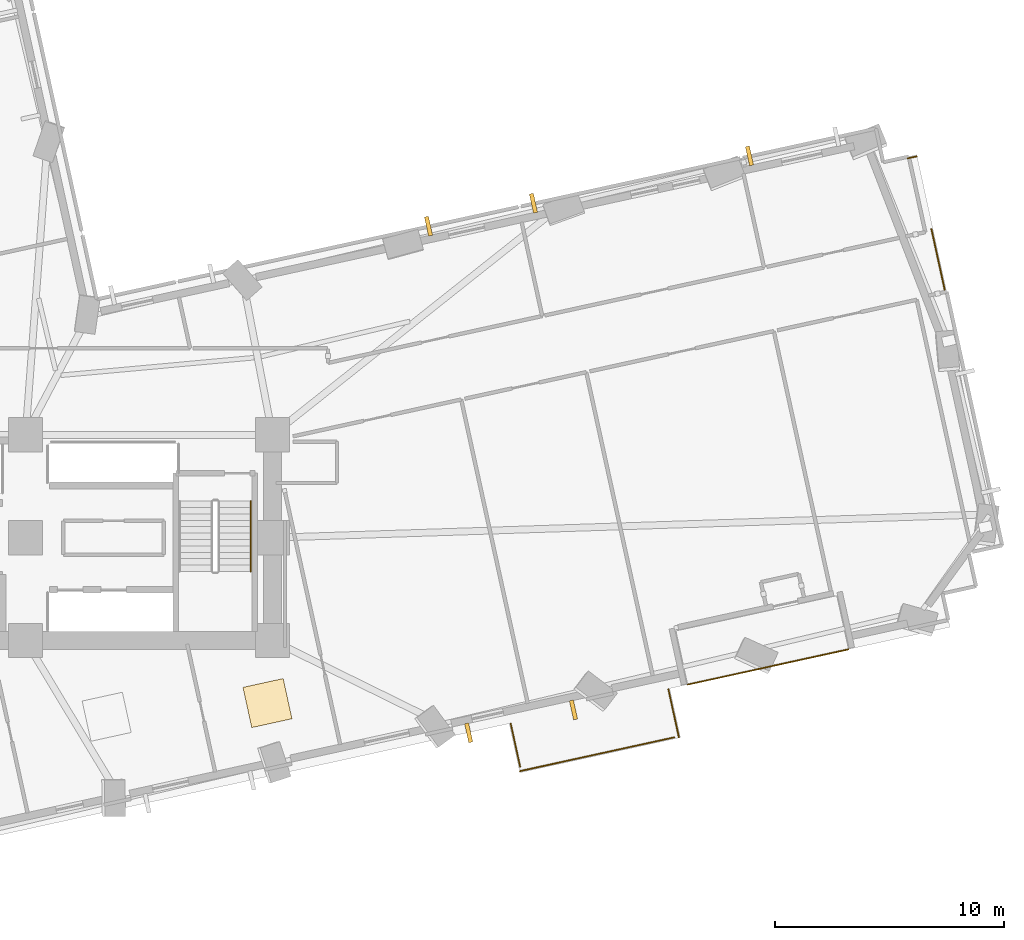
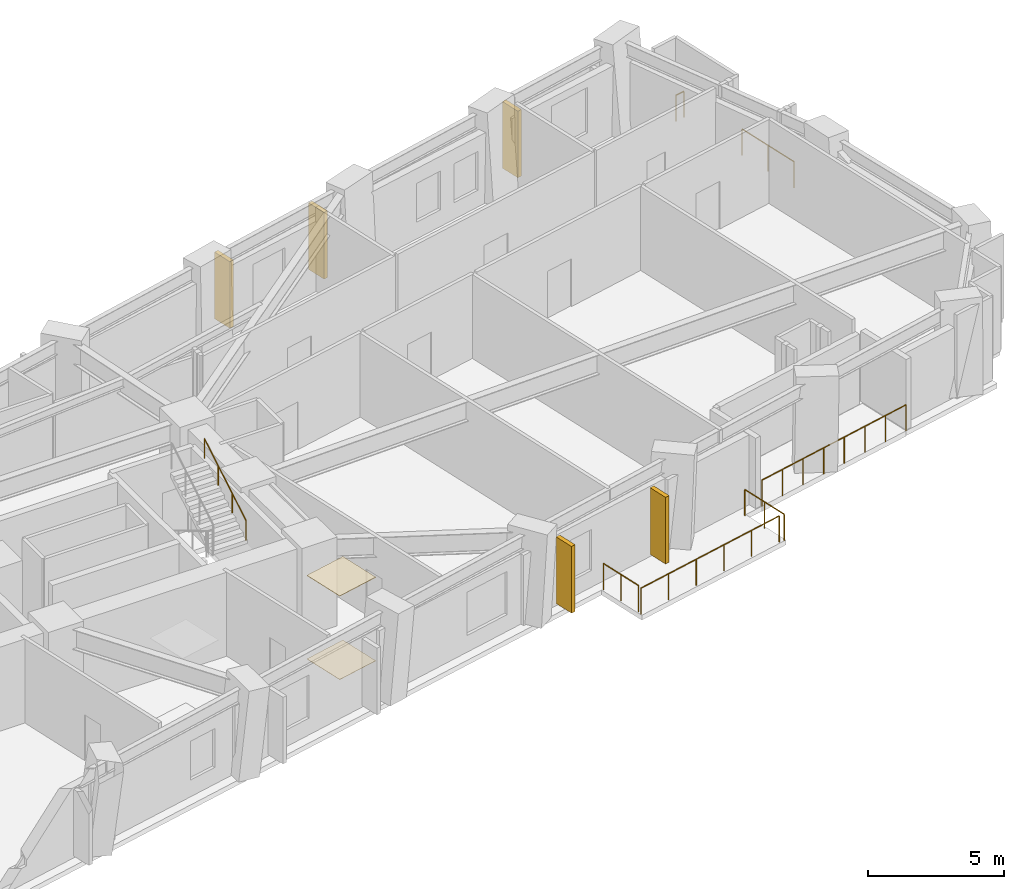
# One storey, part 13 of 14: 7 railings, 5 shading devices, 2 coverings.
"""IFC4 building model written with IfcOpenShell, lengths in metres."""

from ifc_helpers import new_model, si_unit, direction, frame, origin, origin_2d, place, context, subcontext, project, spatial, rectangle, circle, extrude, material, layer, layer_set, type_object, element, save


model = new_model("IFC4")

# Units and contexts
model_context = context("Model", 3, precision=1e-05, world=origin(), true_north=direction((0.0, 1.0)))
body_context = subcontext(model_context, "Body", "Model", "MODEL_VIEW")
ifc_project = project(units=[si_unit("LENGTHUNIT", "METRE"), si_unit("AREAUNIT", "SQUARE_METRE"), si_unit("VOLUMEUNIT", "CUBIC_METRE"), si_unit("PLANEANGLEUNIT", "RADIAN"), si_unit("MASSUNIT", "GRAM", prefix="KILO")], contexts=[model_context])

# Site, building, storey
site_placement = place(None, origin())
site = spatial("IfcSite", under=ifc_project, at=site_placement, CompositionType="ELEMENT")
building_placement = place(site_placement, origin())
building = spatial("IfcBuilding", under=site, at=building_placement, Name="Gaonmaruhae Medical Tower", CompositionType="ELEMENT")
storey_placement = place(building_placement, frame((0.0, 0.0, 75.0)))
storey = spatial("IfcBuildingStorey", under=building, at=storey_placement, Name="L17", CompositionType="ELEMENT", Elevation=75.0)

# Coverings
ifc_material_1 = material(Name="Acoustic mineral ceiling tile", Category="finish")
ifc_layer_1 = layer(ifc_material_1, 0.02490234375)
ifc_layer_set_1 = layer_set([ifc_layer_1], Name="Acoustic mineral ceiling tile")
covering_type_1 = type_object("IfcCoveringType", Name="CLG-01 Antimicrobial Acoustic Mineral Ceiling", PredefinedType="CEILING", material=ifc_layer_set_1)
covering_1_placement = place(storey_placement, frame((35.382080078125, 5.0654296875, 3.755126953125), z_axis=(0.0, 0.0, 1.0), x_axis=(0.976859298345, 0.213882938162, 0.0)))
element("IfcCovering", 1, at=covering_1_placement, inside=storey, type_object=covering_type_1, Name="L17 Clinical Room Acoustic Ceiling 4", PredefinedType="CEILING", context=body_context, shape_type="SweptSolid", body=[
    extrude(rectangle(XDim=1.800048828125, YDim=1.800048828125, at=origin_2d()), origin(), (0.0, 0.0, 1.0), 0.02490234375),
])
ifc_material_2 = material(Name="Seamless clinical vinyl flooring", Category="finish")
ifc_layer_2 = layer(ifc_material_2, 0.014892578125)
ifc_layer_set_2 = layer_set([ifc_layer_2], Name="Seamless clinical vinyl flooring")
covering_type_2 = type_object("IfcCoveringType", Name="FLR-01 Seamless Clinical Antistatic Vinyl Flooring", PredefinedType="FLOORING", material=ifc_layer_set_2)
covering_2_placement = place(storey_placement, frame((35.382080078125, 5.0654296875, 0.0), z_axis=(0.0, 0.0, 1.0), x_axis=(0.976859298345, 0.213882938162, 0.0)))
element("IfcCovering", 2, at=covering_2_placement, inside=storey, type_object=covering_type_2, Name="L17 Clinical Room Vinyl Flooring 4", PredefinedType="FLOORING", context=body_context, shape_type="SweptSolid", body=[
    extrude(rectangle(XDim=1.800048828125, YDim=1.800048828125, at=origin_2d()), origin(), (0.0, 0.0, 1.0), 0.014892578125),
])

# Railings
ifc_material_3 = material(Name="Stainless steel 316L and laminated safety glass", Category="steel")
ifc_layer_3 = layer(ifc_material_3, 0.080078125)
ifc_layer_set_3 = layer_set([ifc_layer_3], Name="Stainless steel 316L and laminated safety glass")
railing_type_1 = type_object("IfcRailingType", Name="GD-120 Outdoor Terrace Safety Glass & Steel Balustrade", PredefinedType="BALUSTRADE", material=ifc_layer_set_3)
railing_1_placement = place(storey_placement, frame((53.767333984375, 5.87548828125, 0.0)))
element("IfcRailing", 3, at=railing_1_placement, inside=storey, type_object=railing_type_1, Name="L17 Terrace Safety Guard RL-SLB-L17-TER-01", PredefinedType="BALUSTRADE", context=body_context, shape_type="SweptSolid", body=[
    extrude(circle(Radius=0.02392578125, at=origin_2d()), frame((0.0, 0.0, 1.17578125), z_axis=(0.976857304714, 0.213892043394, 0.0), x_axis=(-0.213892043394, 0.976857304714, 0.0)), (0.0, 0.0, 1.0), 7.2001953125),
    extrude(circle(Radius=0.02099609375, at=origin_2d()), origin(), (0.0, 0.0, 1.0), 1.15185546875),
    extrude(circle(Radius=0.02099609375, at=origin_2d()), frame((1.0048828125, 0.219970703125, 0.0)), (0.0, 0.0, 1.0), 1.15185546875),
    extrude(circle(Radius=0.02099609375, at=origin_2d()), frame((2.009521484375, 0.43994140625, 0.0)), (0.0, 0.0, 1.0), 1.15185546875),
    extrude(circle(Radius=0.02099609375, at=origin_2d()), frame((3.014404296875, 0.659912109375, 0.0)), (0.0, 0.0, 1.0), 1.15185546875),
    extrude(circle(Radius=0.02099609375, at=origin_2d()), frame((4.01904296875, 0.880126953125, 0.0)), (0.0, 0.0, 1.0), 1.15185546875),
    extrude(circle(Radius=0.02099609375, at=origin_2d()), frame((5.02392578125, 1.10009765625, 0.0)), (0.0, 0.0, 1.0), 1.15185546875),
    extrude(circle(Radius=0.02099609375, at=origin_2d()), frame((6.028564453125, 1.320068359375, 0.0)), (0.0, 0.0, 1.0), 1.15185546875),
    extrude(circle(Radius=0.02099609375, at=origin_2d()), frame((7.033447265625, 1.5400390625, 0.0)), (0.0, 0.0, 1.0), 1.15185546875),
])
railing_2_placement = place(storey_placement, frame((63.399658203125, 28.8984375, 0.0)))
element("IfcRailing", 4, at=railing_2_placement, inside=storey, type_object=railing_type_1, Name="L17 Perimeter Slab Edge Safety Balustrade 02", PredefinedType="BALUSTRADE", context=body_context, shape_type="SweptSolid", body=[
    extrude(circle(Radius=0.02392578125, at=origin_2d()), frame((0.0, 0.0, 1.17578125), z_axis=(0.976810863505, 0.214104032979, 0.0), x_axis=(-0.214104032979, 0.976810863505, 0.0)), (0.0, 0.0, 1.0), 0.393310546875),
    extrude(circle(Radius=0.02099609375, at=origin_2d()), origin(), (0.0, 0.0, 1.0), 1.15185546875),
    extrude(circle(Radius=0.02099609375, at=origin_2d()), frame((0.38427734375, 0.084228515625, 0.0)), (0.0, 0.0, 1.0), 1.15185546875),
])
railing_3_placement = place(storey_placement, frame((64.4287109375, 25.80419921875, 0.0)))
element("IfcRailing", 5, at=railing_3_placement, inside=storey, type_object=railing_type_1, Name="L17 Perimeter Slab Edge Safety Balustrade 03", PredefinedType="BALUSTRADE", context=body_context, shape_type="SweptSolid", body=[
    extrude(circle(Radius=0.02392578125, at=origin_2d()), frame((0.0, 0.0, 1.17578125), z_axis=(0.213896940489, -0.976856232436, 0.0), x_axis=(0.976856232436, 0.213896940489, 0.0)), (0.0, 0.0, 1.0), 2.838623046875),
    extrude(circle(Radius=0.02099609375, at=origin_2d()), origin(), (0.0, 0.0, 1.0), 1.15185546875),
    extrude(circle(Radius=0.02099609375, at=origin_2d()), frame((0.3037109375, -1.386474609375, 0.0)), (0.0, 0.0, 1.0), 1.15185546875),
    extrude(circle(Radius=0.02099609375, at=origin_2d()), frame((0.607177734375, -2.77294921875, 0.0)), (0.0, 0.0, 1.0), 1.15185546875),
])
railing_4_placement = place(storey_placement, frame((52.921630859375, 5.669921875, 0.0)))
element("IfcRailing", 6, at=railing_4_placement, inside=storey, type_object=railing_type_1, Name="L17 Perimeter Slab Edge Safety Balustrade 04", PredefinedType="BALUSTRADE", context=body_context, shape_type="SweptSolid", body=[
    extrude(circle(Radius=0.02392578125, at=origin_2d()), frame((0.0, 0.0, 1.17578125), z_axis=(0.213949669005, -0.976844685266, 0.0), x_axis=(0.976844685266, 0.213949669005, 0.0)), (0.0, 0.0, 1.0), 2.16015625),
    extrude(circle(Radius=0.02099609375, at=origin_2d()), origin(), (0.0, 0.0, 1.0), 1.15185546875),
    extrude(circle(Radius=0.02099609375, at=origin_2d()), frame((0.23095703125, -1.05517578125, 0.0)), (0.0, 0.0, 1.0), 1.15185546875),
    extrude(circle(Radius=0.02099609375, at=origin_2d()), frame((0.462158203125, -2.110107421875, 0.0)), (0.0, 0.0, 1.0), 1.15185546875),
])
railing_5_placement = place(storey_placement, frame((53.176513671875, 3.565673828125, 0.0)))
element("IfcRailing", 7, at=railing_5_placement, inside=storey, type_object=railing_type_1, Name="L17 Perimeter Slab Edge Safety Balustrade 05", PredefinedType="BALUSTRADE", context=body_context, shape_type="SweptSolid", body=[
    extrude(circle(Radius=0.02392578125, at=origin_2d()), frame((0.0, 0.0, 1.17578125), z_axis=(-0.976864040543, -0.213861278157, 0.0), x_axis=(0.213861278157, -0.976864040543, 0.0)), (0.0, 0.0, 1.0), 6.908935546875),
    extrude(circle(Radius=0.02099609375, at=origin_2d()), origin(), (0.0, 0.0, 1.0), 1.15185546875),
    extrude(circle(Radius=0.02099609375, at=origin_2d()), frame((-1.349853515625, -0.29541015625, 0.0)), (0.0, 0.0, 1.0), 1.15185546875),
    extrude(circle(Radius=0.02099609375, at=origin_2d()), frame((-2.69970703125, -0.591064453125, 0.0)), (0.0, 0.0, 1.0), 1.15185546875),
    extrude(circle(Radius=0.02099609375, at=origin_2d()), frame((-4.04931640625, -0.886474609375, 0.0)), (0.0, 0.0, 1.0), 1.15185546875),
    extrude(circle(Radius=0.02099609375, at=origin_2d()), frame((-5.399169921875, -1.18212890625, 0.0)), (0.0, 0.0, 1.0), 1.15185546875),
    extrude(circle(Radius=0.02099609375, at=origin_2d()), frame((-6.7490234375, -1.4775390625, 0.0)), (0.0, 0.0, 1.0), 1.15185546875),
])
railing_6_placement = place(storey_placement, frame((46.43603515625, 2.282958984375, 0.0)))
element("IfcRailing", 8, at=railing_6_placement, inside=storey, type_object=railing_type_1, Name="L17 Perimeter Slab Edge Safety Balustrade 06", PredefinedType="BALUSTRADE", context=body_context, shape_type="SweptSolid", body=[
    extrude(circle(Radius=0.02392578125, at=origin_2d()), frame((0.0, 0.0, 1.17578125), z_axis=(-0.213848452862, 0.976866848249, 0.0), x_axis=(-0.976866848249, -0.213848452862, 0.0)), (0.0, 0.0, 1.0), 1.92138671875),
    extrude(circle(Radius=0.02099609375, at=origin_2d()), origin(), (0.0, 0.0, 1.0), 1.15185546875),
    extrude(circle(Radius=0.02099609375, at=origin_2d()), frame((-0.20556640625, 0.9384765625, 0.0)), (0.0, 0.0, 1.0), 1.15185546875),
    extrude(circle(Radius=0.02099609375, at=origin_2d()), frame((-0.410888671875, 1.876953125, 0.0)), (0.0, 0.0, 1.0), 1.15185546875),
])
ifc_material_4 = material(Name="Stainless steel 304 handrail", Category="steel")
railing_type_2 = type_object("IfcRailingType", Name="HR-092 Continuous Stainless Steel Stair Handrail", PredefinedType="HANDRAIL", material=ifc_material_4)
railing_7_placement = place(storey_placement, frame((34.64990234375, 10.820068359375, 2.166748046875)))
element("IfcRailing", 9, at=railing_7_placement, inside=storey, type_object=railing_type_2, Name="L17 ST-02 stair handrail 2", PredefinedType="HANDRAIL", context=body_context, shape_type="SweptSolid", body=[
    extrude(circle(Radius=0.02392578125, at=origin_2d()), frame((0.0, 0.0, 0.8759765625), z_axis=(0.0, 0.859290745958, 0.51148745235), x_axis=(-1.0, 0.0, 0.0)), (0.0, 0.0, 1.0), 3.584228515625),
    extrude(circle(Radius=0.02099609375, at=origin_2d()), origin(), (0.0, 0.0, 1.0), 0.851806640625),
    extrude(circle(Radius=0.02099609375, at=origin_2d()), frame((0.0, 1.026611328125, 0.611083984375)), (0.0, 0.0, 1.0), 0.851806640625),
    extrude(circle(Radius=0.02099609375, at=origin_2d()), frame((0.0, 2.05322265625, 1.22216796875)), (0.0, 0.0, 1.0), 0.851806640625),
    extrude(circle(Radius=0.02099609375, at=origin_2d()), frame((0.0, 3.079833984375, 1.833251953125)), (0.0, 0.0, 1.0), 0.851806640625),
])

# Shading devices
ifc_material_5 = material(Name="Pigmented coral precast concrete C45/55", Category="concrete")
shading_device_type = type_object("IfcShadingDeviceType", Name="SD-FIN1 Tower Vertical Coral Precast Shading Fin", PredefinedType="USERDEFINED", material=ifc_material_5)
for number, where, z_axis, x_axis, name in (
    (10, (48.769775390625, 4.765869140625, 0.08251953125), (0.0, 0.0, 1.0), (-0.976859298345, -0.213882938162, 0.0), "L17 Vertical Coral Precast Shading Fin S05"),
    (11, (44.185302734375, 3.76220703125, 0.08251953125), (0.0, 0.0, 1.0), (-0.976859298345, -0.213882938162, 0.0), "L17 Vertical Coral Precast Shading Fin S05B"),
    (12, (56.469482421875, 29.003662109375, 0.08251953125), (0.0, 0.0, 1.0), (0.976863031158, 0.213865888718, 0.0), "L17 Vertical Coral Precast Shading Fin E03"),
    (13, (42.427978515625, 25.92919921875, 0.08251953125), (0.0, 0.0, 1.0), (0.976859298345, 0.213882938162, 0.0), "L17 Vertical Coral Precast Shading Fin EN02"),
    (14, (47.018798828125, 26.934326171875, 0.08251953125), (0.0, 0.0, 1.0), (0.976859298345, 0.213882938162, 0.0), "L17 Vertical Coral Precast Shading Fin EN02B"),
):
    element("IfcShadingDevice", number, at=place(storey_placement, frame(where, z_axis=z_axis, x_axis=x_axis)), inside=storey, type_object=shading_device_type, Name=name, ObjectType="FIN", PredefinedType="USERDEFINED", context=body_context, shape_type="SweptSolid", body=[
        extrude(rectangle(XDim=0.179931640625, YDim=0.85009765625, at=origin_2d()), origin(), (0.0, 0.0, 1.0), 3.0),
    ])

save(model, "model.ifc")
